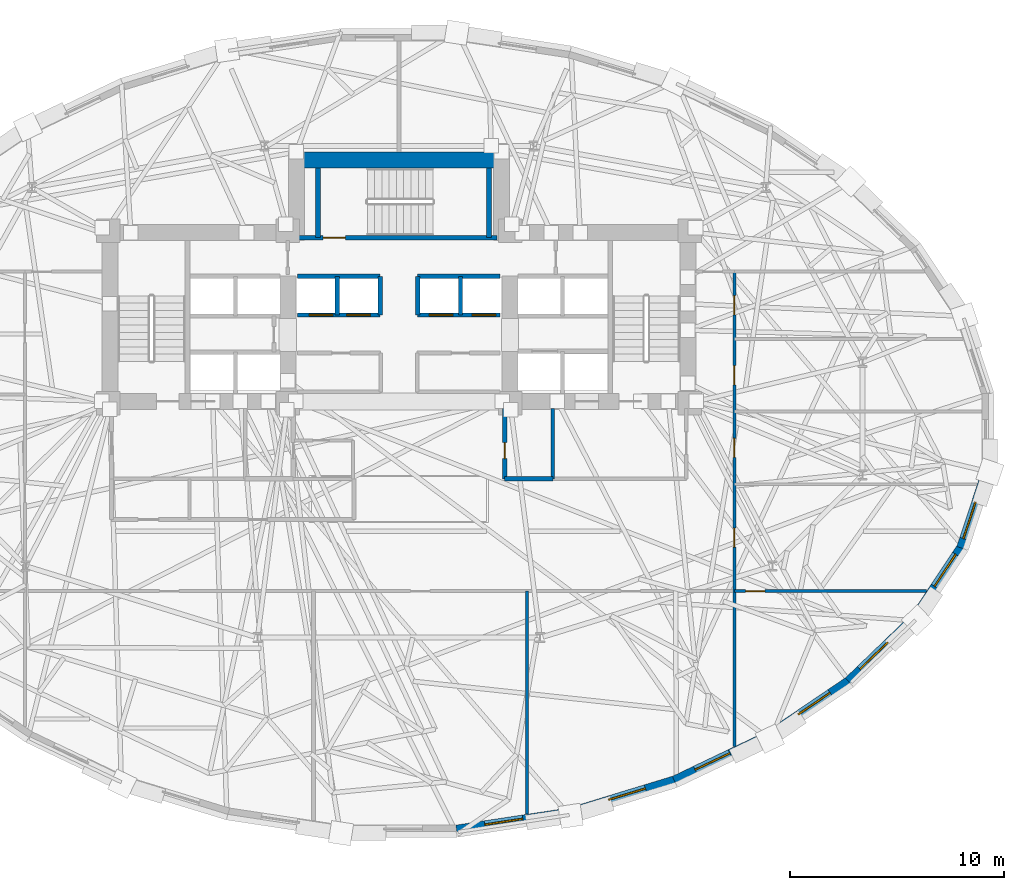
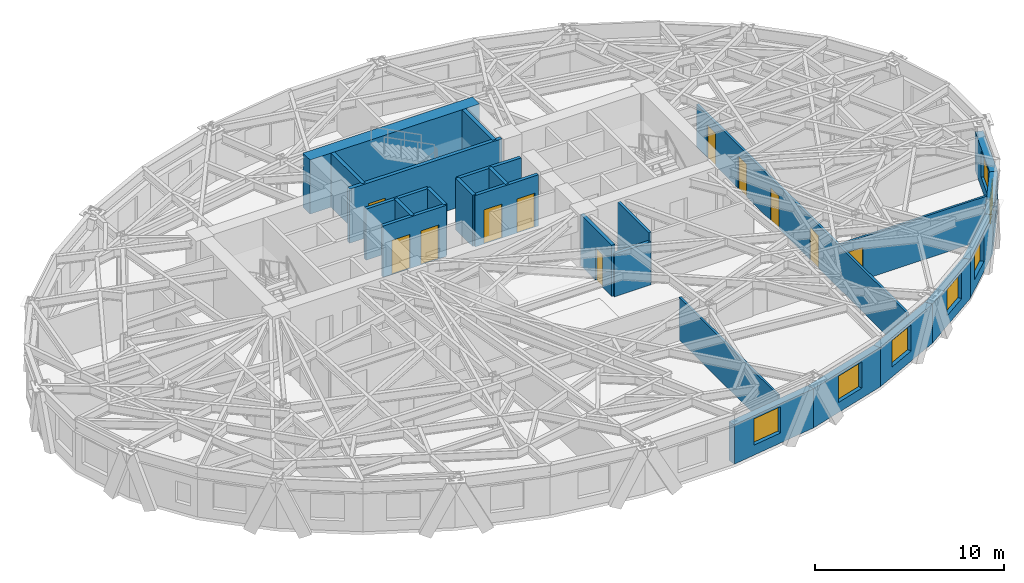
# One storey, part 8 of 14: 25 walls, 11 doors, 7 windows, 18 openings.
"""IFC4 building model written with IfcOpenShell, lengths in metres."""

from ifc_helpers import new_model, si_unit, direction, frame, frame_2d, origin, place, context, subcontext, project, spatial, rectangle, extrude, material, layer, layer_set, type_object, element, fill, save


model = new_model("IFC4")

# Units and contexts
model_context = context("Model", 3, precision=1e-05, world=origin(), true_north=direction((0.0, 1.0)))
body_context = subcontext(model_context, "Body", "Model", "MODEL_VIEW")
ifc_project = project(units=[si_unit("LENGTHUNIT", "METRE"), si_unit("AREAUNIT", "SQUARE_METRE"), si_unit("VOLUMEUNIT", "CUBIC_METRE"), si_unit("PLANEANGLEUNIT", "RADIAN"), si_unit("MASSUNIT", "GRAM", prefix="KILO")], contexts=[model_context])

# Site, building, storey
site_placement = place(None, origin())
site = spatial("IfcSite", under=ifc_project, at=site_placement, CompositionType="ELEMENT")
building_placement = place(site_placement, origin())
building = spatial("IfcBuilding", under=site, at=building_placement, Name="Keldmark Tower", CompositionType="ELEMENT")
storey_placement = place(building_placement, frame((0.0, 0.0, 100.10009765625)))
storey = spatial("IfcBuildingStorey", under=building, at=storey_placement, Name="L26", CompositionType="ELEMENT", Elevation=100.10009765625)

# Wall, openings, doors
ifc_material_1 = material(Name="Acoustic Double-Layer Gypsum Corridor Partition", Category="gypsum")
ifc_layer_1 = layer(ifc_material_1, 0.139892578125)
ifc_layer_set_1 = layer_set([ifc_layer_1], Name="Acoustic Double-Layer Gypsum Corridor Partition")
wall_type_1 = type_object("IfcWallType", Name="Acoustic Corridor Partition 140 mm", PredefinedType="PARTITIONING", material=ifc_layer_set_1)
wall_1_placement = place(storey_placement, frame((15.699951171875, -14.6748046875, 0.0), z_axis=(0.0, 0.0, 1.0), x_axis=(0.0, 1.0, 0.0)))
wall_1 = element("IfcWall", 1, at=wall_1_placement, inside=storey, type_object=wall_type_1, Name="L26 Acoustic Corridor Partition 140 mm COR-E", PredefinedType="PARTITIONING", context=body_context, shape_type="SweptSolid", body=[
    extrude(rectangle(XDim=22.224853515625, YDim=0.139892578125, at=frame_2d((11.1123046875, 0.0))), origin(), (0.0, 0.0, 1.0), 2.762939453125),
])
opening_1_placement = place(wall_1_placement, frame((9.325439453125, 0.0, 0.0)))
opening_1 = element("IfcOpeningElement", 2, at=opening_1_placement, cuts=wall_1, Name="Opening D-IN090", PredefinedType="OPENING", context=body_context, shape_type="SweptSolid", body=[
    extrude(rectangle(XDim=0.89990234375, YDim=2.10009765625, at=frame_2d((0.449951171875, 1.050048828125))), frame((0.0, 0.079833984375, 0.0), z_axis=(0.0, -1.0, 0.0), x_axis=(1.0, 0.0, 0.0)), (0.0, 0.0, 1.0), 0.159912109375),
])
opening_2_placement = place(wall_1_placement, frame((13.525390625, 0.0, 0.0)))
opening_2 = element("IfcOpeningElement", 3, at=opening_2_placement, cuts=wall_1, Name="Opening D-IN090", PredefinedType="OPENING", context=body_context, shape_type="SweptSolid", body=[
    extrude(rectangle(XDim=0.89990234375, YDim=2.10009765625, at=frame_2d((0.449951171875, 1.050048828125))), frame((0.0, 0.079833984375, 0.0), z_axis=(0.0, -1.0, 0.0), x_axis=(1.0, 0.0, 0.0)), (0.0, 0.0, 1.0), 0.159912109375),
])
opening_3_placement = place(wall_1_placement, frame((16.92529296875, 0.0, 0.0)))
opening_3 = element("IfcOpeningElement", 4, at=opening_3_placement, cuts=wall_1, Name="Opening D-IN090", PredefinedType="OPENING", context=body_context, shape_type="SweptSolid", body=[
    extrude(rectangle(XDim=0.89990234375, YDim=2.10009765625, at=frame_2d((0.449951171875, 1.050048828125))), frame((0.0, 0.079833984375, 0.0), z_axis=(0.0, -1.0, 0.0), x_axis=(1.0, 0.0, 0.0)), (0.0, 0.0, 1.0), 0.159912109375),
])
opening_4_placement = place(wall_1_placement, frame((20.200439453125, 0.0, 0.0)))
opening_4 = element("IfcOpeningElement", 5, at=opening_4_placement, cuts=wall_1, Name="Opening D-IN090", PredefinedType="OPENING", context=body_context, shape_type="SweptSolid", body=[
    extrude(rectangle(XDim=0.89990234375, YDim=2.10009765625, at=frame_2d((0.449951171875, 1.050048828125))), frame((0.0, 0.079833984375, 0.0), z_axis=(0.0, -1.0, 0.0), x_axis=(1.0, 0.0, 0.0)), (0.0, 0.0, 1.0), 0.159912109375),
])
ifc_material_2 = material(Name="Stained American White Oak Veneer", Category="wood")
door_type_1 = type_object("IfcDoorType", Name="Interior Door 900x2100", OperationType="NOTDEFINED", PredefinedType="DOOR", material=ifc_material_2)
door_1_placement = place(opening_1_placement, origin())
door_1 = element("IfcDoor", 6, at=door_1_placement, inside=storey, type_object=door_type_1, Name="L26 Interior Door 900x2100 D-ER-1-L26", OperationType="SINGLE_SWING_RIGHT", OverallHeight=2.10009765625, OverallWidth=0.89990234375, PredefinedType="DOOR", context=body_context, shape_type="SweptSolid", body=[
    extrude(rectangle(XDim=0.89990234375, YDim=2.10009765625, at=frame_2d((0.449951171875, 1.050048828125))), frame((0.0, 0.02490234375, 0.0), z_axis=(0.0, -1.0, 0.0), x_axis=(1.0, 0.0, 0.0)), (0.0, 0.0, 1.0), 0.050048828125),
])
fill(opening_1, door_1)
door_2_placement = place(opening_2_placement, origin())
door_2 = element("IfcDoor", 7, at=door_2_placement, inside=storey, type_object=door_type_1, Name="L26 Interior Door 900x2100 D-ER-2-L26", OperationType="SINGLE_SWING_LEFT", OverallHeight=2.10009765625, OverallWidth=0.89990234375, PredefinedType="DOOR", context=body_context, shape_type="SweptSolid", body=[
    extrude(rectangle(XDim=0.89990234375, YDim=2.10009765625, at=frame_2d((0.449951171875, 1.050048828125))), frame((0.0, 0.02490234375, 0.0), z_axis=(0.0, -1.0, 0.0), x_axis=(1.0, 0.0, 0.0)), (0.0, 0.0, 1.0), 0.050048828125),
])
fill(opening_2, door_2)
door_3_placement = place(opening_3_placement, origin())
door_3 = element("IfcDoor", 8, at=door_3_placement, inside=storey, type_object=door_type_1, Name="L26 Interior Door 900x2100 D-ER-3-L26", OperationType="SINGLE_SWING_RIGHT", OverallHeight=2.10009765625, OverallWidth=0.89990234375, PredefinedType="DOOR", context=body_context, shape_type="SweptSolid", body=[
    extrude(rectangle(XDim=0.89990234375, YDim=2.10009765625, at=frame_2d((0.449951171875, 1.050048828125))), frame((0.0, 0.02490234375, 0.0), z_axis=(0.0, -1.0, 0.0), x_axis=(1.0, 0.0, 0.0)), (0.0, 0.0, 1.0), 0.050048828125),
])
fill(opening_3, door_3)
door_4_placement = place(opening_4_placement, origin())
door_4 = element("IfcDoor", 9, at=door_4_placement, inside=storey, type_object=door_type_1, Name="L26 Interior Door 900x2100 D-ER-4-L26", OperationType="SINGLE_SWING_LEFT", OverallHeight=2.10009765625, OverallWidth=0.89990234375, PredefinedType="DOOR", context=body_context, shape_type="SweptSolid", body=[
    extrude(rectangle(XDim=0.89990234375, YDim=2.10009765625, at=frame_2d((0.449951171875, 1.050048828125))), frame((0.0, 0.02490234375, 0.0), z_axis=(0.0, -1.0, 0.0), x_axis=(1.0, 0.0, 0.0)), (0.0, 0.0, 1.0), 0.050048828125),
])
fill(opening_4, door_4)

# Wall
ifc_material_3 = material(Name="Acoustic Gypsum Board Interior Partition", Category="gypsum")
ifc_layer_2 = layer(ifc_material_3, 0.1298828125)
ifc_layer_set_2 = layer_set([ifc_layer_2], Name="Acoustic Gypsum Board Interior Partition")
wall_type_2 = type_object("IfcWallType", Name="Interior Partition 130 mm", PredefinedType="PARTITIONING", material=ifc_layer_set_2)
wall_2_placement = place(storey_placement, frame((6.0, -17.837646484375, 0.0), z_axis=(0.0, 0.0, 1.0), x_axis=(0.0, 1.0, 0.0)))
element("IfcWall", 10, at=wall_2_placement, inside=storey, type_object=wall_type_2, Name="L26 Interior Partition 130 mm S-DIV-2", PredefinedType="PARTITIONING", context=body_context, shape_type="SweptSolid", body=[
    extrude(rectangle(XDim=10.437744140625, YDim=0.1298828125, at=frame_2d((5.21875, 0.0))), origin(), (0.0, 0.0, 1.0), 2.762939453125),
])

# Wall, opening, door
wall_3_placement = place(storey_placement, frame((15.699951171875, -7.39990234375, 0.0), z_axis=(0.0, 0.0, 1.0), x_axis=(1.0, 0.0, 0.0)))
wall_3 = element("IfcWall", 11, at=wall_3_placement, inside=storey, type_object=wall_type_2, Name="L26 Interior Partition 130 mm E-CAP-S", PredefinedType="PARTITIONING", context=body_context, shape_type="SweptSolid", body=[
    extrude(rectangle(XDim=8.98876953125, YDim=0.1298828125, at=frame_2d((4.494384765625, 0.0))), origin(), (0.0, 0.0, 1.0), 2.762939453125),
])
opening_5_placement = place(wall_3_placement, frame((0.530029296875, 0.0, 0.0)))
opening_5 = element("IfcOpeningElement", 12, at=opening_5_placement, cuts=wall_3, Name="Opening D-IN090", PredefinedType="OPENING", context=body_context, shape_type="SweptSolid", body=[
    extrude(rectangle(XDim=0.89990234375, YDim=2.10009765625, at=frame_2d((0.449951171875, 1.050048828125))), frame((0.0, 0.074951171875, 0.0), z_axis=(0.0, -1.0, 0.0), x_axis=(1.0, 0.0, 0.0)), (0.0, 0.0, 1.0), 0.14990234375),
])
door_5_placement = place(opening_5_placement, origin())
door_5 = element("IfcDoor", 13, at=door_5_placement, inside=storey, type_object=door_type_1, Name="L26 Interior Door 900x2100 D-ERSE-L26", OperationType="SINGLE_SWING_LEFT", OverallHeight=2.10009765625, OverallWidth=0.89990234375, PredefinedType="DOOR", context=body_context, shape_type="SweptSolid", body=[
    extrude(rectangle(XDim=0.89990234375, YDim=2.10009765625, at=frame_2d((0.449951171875, 1.050048828125))), frame((0.0, 0.02490234375, 0.0), z_axis=(0.0, -1.0, 0.0), x_axis=(1.0, 0.0, 0.0)), (0.0, 0.0, 1.0), 0.050048828125),
])
fill(opening_5, door_5)

# Walls
ifc_material_4 = material(Name="Concrete C70/85", Category="concrete")
ifc_layer_3 = layer(ifc_material_4, 0.75)
ifc_layer_set_3 = layer_set([ifc_layer_3], Name="Concrete C70/85")
wall_type_3 = type_object("IfcWallType", Name="Low-Mid Core Shear Wall 750 mm", PredefinedType="SHEAR", material=ifc_layer_set_3)
wall_4_placement = place(storey_placement, frame((-5.175048828125, 12.77490234375, 0.0), z_axis=(0.0, 0.0, 1.0), x_axis=(1.0, 0.0, 0.0)))
element("IfcWall", 14, at=wall_4_placement, inside=storey, type_object=wall_type_3, Name="L26 North Core Shear Wall", PredefinedType="SHEAR", context=body_context, shape_type="SweptSolid", body=[
    extrude(rectangle(XDim=10.35009765625, YDim=0.75, at=frame_2d((5.175048828125, 0.0))), origin(), (0.0, 0.0, 1.0), 3.5),
])
ifc_material_5 = material(Name="Type X Fire-Rated Gypsum Partition Assembly", Category="gypsum")
ifc_layer_4 = layer(ifc_material_5, 0.1650390625)
ifc_layer_set_4 = layer_set([ifc_layer_4], Name="Type X Fire-Rated Gypsum Partition Assembly")
wall_type_4 = type_object("IfcWallType", Name="Rated Partition 165 mm", PredefinedType="PARTITIONING", material=ifc_layer_set_4)
wall_5_placement = place(storey_placement, frame((7.199951171875, -2.14990234375, 0.0), z_axis=(0.0, 0.0, 1.0), x_axis=(0.0, 1.0, 0.0)))
element("IfcWall", 15, at=wall_5_placement, inside=storey, type_object=wall_type_4, Name="L26 Rated Partition 165 mm FSAE-E-W", PredefinedType="PARTITIONING", context=body_context, shape_type="SweptSolid", body=[
    extrude(rectangle(XDim=3.2998046875, YDim=0.1650390625, at=frame_2d((1.64990234375, 0.0))), origin(), (0.0, 0.0, 1.0), 3.309814453125),
])
ifc_material_6 = material(Name="Fire-Resistant Type X Gypsum Shaftliner Coreboard", Category="gypsum")
ifc_layer_5 = layer(ifc_material_6, 0.199951171875)
ifc_layer_set_5 = layer_set([ifc_layer_5], Name="Fire-Resistant Type X Gypsum Shaftliner Coreboard")
wall_type_5 = type_object("IfcWallType", Name="Shaft Wall 200 mm", PredefinedType="SOLIDWALL", material=ifc_layer_set_5)
wall_6_placement = place(storey_placement, frame((4.949951171875, -2.14990234375, 0.0), z_axis=(0.0, 0.0, 1.0), x_axis=(1.0, 0.0, 0.0)))
element("IfcWall", 16, at=wall_6_placement, inside=storey, type_object=wall_type_5, Name="L26 Shaft Wall 200 mm RIS-SE-S", PredefinedType="SOLIDWALL", context=body_context, shape_type="SweptSolid", body=[
    extrude(rectangle(XDim=2.25, YDim=0.199951171875, at=frame_2d((1.125, 0.0))), origin(), (0.0, 0.0, 1.0), 2.762939453125),
])

# Wall, opening, door
wall_7_placement = place(storey_placement, frame((4.949951171875, -2.14990234375, 0.0), z_axis=(0.0, 0.0, 1.0), x_axis=(0.0, 1.0, 0.0)))
wall_7 = element("IfcWall", 17, at=wall_7_placement, inside=storey, type_object=wall_type_5, Name="L26 Shaft Wall 200 mm RIS-SE-W", PredefinedType="SOLIDWALL", context=body_context, shape_type="SweptSolid", body=[
    extrude(rectangle(XDim=3.2998046875, YDim=0.199951171875, at=frame_2d((1.64990234375, 0.0))), origin(), (0.0, 0.0, 1.0), 3.309814453125),
])
opening_6_placement = place(wall_7_placement, frame((0.949951171875, 0.0, 0.0)))
opening_6 = element("IfcOpeningElement", 18, at=opening_6_placement, cuts=wall_7, Name="Opening D-RS075", PredefinedType="OPENING", context=body_context, shape_type="SweptSolid", body=[
    extrude(rectangle(XDim=0.75, YDim=2.10009765625, at=frame_2d((0.375, 1.050048828125))), frame((0.0, 0.10986328125, 0.0), z_axis=(0.0, -1.0, 0.0), x_axis=(1.0, 0.0, 0.0)), (0.0, 0.0, 1.0), 0.219970703125),
])
ifc_material_7 = material(Name="Galvanized Fire-Rated Access Leaf", Category="metal")
door_type_2 = type_object("IfcDoorType", Name="Riser Access Door 750x2100", OperationType="NOTDEFINED", PredefinedType="DOOR", material=ifc_material_7)
door_6_placement = place(opening_6_placement, origin())
door_6 = element("IfcDoor", 19, at=door_6_placement, inside=storey, type_object=door_type_2, Name="L26 Riser Access Door 750x2100 D-RISSE-L26", OperationType="SINGLE_SWING_LEFT", OverallHeight=2.10009765625, OverallWidth=0.75, PredefinedType="DOOR", context=body_context, shape_type="SweptSolid", body=[
    extrude(rectangle(XDim=0.75, YDim=2.10009765625, at=frame_2d((0.375, 1.050048828125))), frame((0.0, 0.02490234375, 0.0), z_axis=(0.0, -1.0, 0.0), x_axis=(1.0, 0.0, 0.0)), (0.0, 0.0, 1.0), 0.050048828125),
])
fill(opening_6, door_6)

# Wall, openings, doors
wall_8_placement = place(storey_placement, frame((-4.739990234375, 5.52001953125, 0.0), z_axis=(0.0, 0.0, 1.0), x_axis=(1.0, 0.0, 0.0)))
wall_8 = element("IfcWall", 20, at=wall_8_placement, inside=storey, type_object=wall_type_5, Name="L26 Shaft Wall 200 mm MID-S-W", PredefinedType="SOLIDWALL", context=body_context, shape_type="SweptSolid", body=[
    extrude(rectangle(XDim=3.860107421875, YDim=0.199951171875, at=frame_2d((1.93017578125, 0.0))), origin(), (0.0, 0.0, 1.0), 3.309814453125),
])
opening_7_placement = place(wall_8_placement, frame((0.550048828125, 0.0, 0.0)))
opening_7 = element("IfcOpeningElement", 21, at=opening_7_placement, cuts=wall_8, Name="Opening LD-110", PredefinedType="OPENING", context=body_context, shape_type="SweptSolid", body=[
    extrude(rectangle(XDim=1.10009765625, YDim=2.199951171875, at=frame_2d((0.550048828125, 1.10009765625))), frame((0.0, 0.10986328125, 0.0), z_axis=(0.0, -1.0, 0.0), x_axis=(1.0, 0.0, 0.0)), (0.0, 0.0, 1.0), 0.219970703125),
])
opening_8_placement = place(wall_8_placement, frame((2.300048828125, 0.0, 0.0)))
opening_8 = element("IfcOpeningElement", 22, at=opening_8_placement, cuts=wall_8, Name="Opening LD-110", PredefinedType="OPENING", context=body_context, shape_type="SweptSolid", body=[
    extrude(rectangle(XDim=1.10009765625, YDim=2.199951171875, at=frame_2d((0.550048828125, 1.10009765625))), frame((0.0, 0.10986328125, 0.0), z_axis=(0.0, -1.0, 0.0), x_axis=(1.0, 0.0, 0.0)), (0.0, 0.0, 1.0), 0.219970703125),
])
ifc_material_8 = material(Name="Brushed Bronze Hoistway Sliding Leaf", Category="metal")
door_type_3 = type_object("IfcDoorType", Name="Lift Landing Sliding Door 1100x2200", OperationType="SLIDING_TO_LEFT", PredefinedType="DOOR", material=ifc_material_8)
door_7_placement = place(opening_7_placement, origin())
door_7 = element("IfcDoor", 23, at=door_7_placement, inside=storey, type_object=door_type_3, Name="L26 Lift Landing Sliding Door 1100x2200 LD-EL-M1-L26", OperationType="SLIDING_TO_LEFT", OverallHeight=2.199951171875, OverallWidth=1.10009765625, PredefinedType="DOOR", context=body_context, shape_type="SweptSolid", body=[
    extrude(rectangle(XDim=1.10009765625, YDim=2.199951171875, at=frame_2d((0.550048828125, 1.10009765625))), frame((0.0, 0.02490234375, 0.0), z_axis=(0.0, -1.0, 0.0), x_axis=(1.0, 0.0, 0.0)), (0.0, 0.0, 1.0), 0.050048828125),
])
fill(opening_7, door_7)
door_8_placement = place(opening_8_placement, origin())
door_8 = element("IfcDoor", 24, at=door_8_placement, inside=storey, type_object=door_type_3, Name="L26 Lift Landing Sliding Door 1100x2200 LD-EL-M2-L26", OperationType="SLIDING_TO_LEFT", OverallHeight=2.199951171875, OverallWidth=1.10009765625, PredefinedType="DOOR", context=body_context, shape_type="SweptSolid", body=[
    extrude(rectangle(XDim=1.10009765625, YDim=2.199951171875, at=frame_2d((0.550048828125, 1.10009765625))), frame((0.0, 0.02490234375, 0.0), z_axis=(0.0, -1.0, 0.0), x_axis=(1.0, 0.0, 0.0)), (0.0, 0.0, 1.0), 0.050048828125),
])
fill(opening_8, door_8)

wall_9_placement = place(storey_placement, frame((0.8798828125, 5.52001953125, 0.0), z_axis=(0.0, 0.0, 1.0), x_axis=(1.0, 0.0, 0.0)))
wall_9 = element("IfcWall", 25, at=wall_9_placement, inside=storey, type_object=wall_type_5, Name="L26 Shaft Wall 200 mm MID-S-E", PredefinedType="SOLIDWALL", context=body_context, shape_type="SweptSolid", body=[
    extrude(rectangle(XDim=3.860107421875, YDim=0.199951171875, at=frame_2d((1.93017578125, 0.0))), origin(), (0.0, 0.0, 1.0), 3.309814453125),
])
opening_9_placement = place(wall_9_placement, frame((0.550048828125, 0.0, 0.0)))
opening_9 = element("IfcOpeningElement", 26, at=opening_9_placement, cuts=wall_9, Name="Opening LD-110", PredefinedType="OPENING", context=body_context, shape_type="SweptSolid", body=[
    extrude(rectangle(XDim=1.10009765625, YDim=2.199951171875, at=frame_2d((0.550048828125, 1.10009765625))), frame((0.0, 0.10986328125, 0.0), z_axis=(0.0, -1.0, 0.0), x_axis=(1.0, 0.0, 0.0)), (0.0, 0.0, 1.0), 0.219970703125),
])
opening_10_placement = place(wall_9_placement, frame((2.550048828125, 0.0, 0.0)))
opening_10 = element("IfcOpeningElement", 27, at=opening_10_placement, cuts=wall_9, Name="Opening LD-110", PredefinedType="OPENING", context=body_context, shape_type="SweptSolid", body=[
    extrude(rectangle(XDim=1.10009765625, YDim=2.199951171875, at=frame_2d((0.550048828125, 1.10009765625))), frame((0.0, 0.10986328125, 0.0), z_axis=(0.0, -1.0, 0.0), x_axis=(1.0, 0.0, 0.0)), (0.0, 0.0, 1.0), 0.219970703125),
])
door_9_placement = place(opening_9_placement, origin())
door_9 = element("IfcDoor", 28, at=door_9_placement, inside=storey, type_object=door_type_3, Name="L26 Lift Landing Sliding Door 1100x2200 LD-EL-M3-L26", OperationType="SLIDING_TO_LEFT", OverallHeight=2.199951171875, OverallWidth=1.10009765625, PredefinedType="DOOR", context=body_context, shape_type="SweptSolid", body=[
    extrude(rectangle(XDim=1.10009765625, YDim=2.199951171875, at=frame_2d((0.550048828125, 1.10009765625))), frame((0.0, 0.02490234375, 0.0), z_axis=(0.0, -1.0, 0.0), x_axis=(1.0, 0.0, 0.0)), (0.0, 0.0, 1.0), 0.050048828125),
])
fill(opening_9, door_9)
door_10_placement = place(opening_10_placement, origin())
door_10 = element("IfcDoor", 29, at=door_10_placement, inside=storey, type_object=door_type_3, Name="L26 Lift Landing Sliding Door 1100x2200 LD-EL-M4-L26", OperationType="SLIDING_TO_LEFT", OverallHeight=2.199951171875, OverallWidth=1.10009765625, PredefinedType="DOOR", context=body_context, shape_type="SweptSolid", body=[
    extrude(rectangle(XDim=1.10009765625, YDim=2.199951171875, at=frame_2d((0.550048828125, 1.10009765625))), frame((0.0, 0.02490234375, 0.0), z_axis=(0.0, -1.0, 0.0), x_axis=(1.0, 0.0, 0.0)), (0.0, 0.0, 1.0), 0.050048828125),
])
fill(opening_10, door_10)

# Walls
for number, where, z_axis, x_axis, name in (
    (30, (-4.739990234375, 7.330078125, 0.0), (0.0, 0.0, 1.0), (1.0, 0.0, 0.0), "L26 Shaft Wall 200 mm MID-N-W"),
    (31, (0.8798828125, 7.330078125, 0.0), (0.0, 0.0, 1.0), (1.0, 0.0, 0.0), "L26 Shaft Wall 200 mm MID-N-E"),
):
    element("IfcWall", number, at=place(storey_placement, frame(where, z_axis=z_axis, x_axis=x_axis)), inside=storey, type_object=wall_type_5, Name=name, PredefinedType="SOLIDWALL", context=body_context, shape_type="SweptSolid", body=[
        extrude(rectangle(XDim=3.860107421875, YDim=0.199951171875, at=frame_2d((1.93017578125, 0.0))), origin(), (0.0, 0.0, 1.0), 3.309814453125),
    ])
for number, where, z_axis, x_axis, name in (
    (32, (-2.8798828125, 5.52001953125, 0.0), (0.0, 0.0, 1.0), (0.0, 1.0, 0.0), "L26 Shaft Wall 200 mm MID-M-W"),
    (33, (2.8798828125, 5.52001953125, 0.0), (0.0, 0.0, 1.0), (0.0, 1.0, 0.0), "L26 Shaft Wall 200 mm MID-M-E"),
    (34, (-0.8798828125, 5.52001953125, 0.0), (0.0, 0.0, 1.0), (0.0, 1.0, 0.0), "L26 Shaft Wall 200 mm MID-C-W"),
    (35, (0.8798828125, 5.52001953125, 0.0), (0.0, 0.0, 1.0), (0.0, 1.0, 0.0), "L26 Shaft Wall 200 mm MID-C-E"),
):
    element("IfcWall", number, at=place(storey_placement, frame(where, z_axis=z_axis, x_axis=x_axis)), inside=storey, type_object=wall_type_5, Name=name, PredefinedType="SOLIDWALL", context=body_context, shape_type="SweptSolid", body=[
        extrude(rectangle(XDim=1.81005859375, YDim=0.199951171875, at=frame_2d((0.905029296875, 0.0))), origin(), (0.0, 0.0, 1.0), 3.309814453125),
    ])

# Wall, opening, door
ifc_material_9 = material(Name="Concrete C50/60", Category="concrete")
ifc_layer_6 = layer(ifc_material_9, 0.219970703125)
ifc_layer_set_6 = layer_set([ifc_layer_6], Name="Concrete C50/60")
wall_type_6 = type_object("IfcWallType", Name="Stair Core Shear Wall 220 mm", PredefinedType="SHEAR", material=ifc_layer_set_6)
wall_10_placement = place(storey_placement, frame((-4.699951171875, 9.139892578125, 0.0), z_axis=(0.0, 0.0, 1.0), x_axis=(1.0, 0.0, 0.0)))
wall_10 = element("IfcWall", 36, at=wall_10_placement, inside=storey, type_object=wall_type_6, Name="L26 Central Stair Core South Shear Wall", PredefinedType="SHEAR", context=body_context, shape_type="SweptSolid", body=[
    extrude(rectangle(XDim=9.300048828125, YDim=0.219970703125, at=frame_2d((4.64990234375, 0.0))), origin(), (0.0, 0.0, 1.0), 3.5),
])
opening_11_placement = place(wall_10_placement, frame((1.14990234375, 0.0, 0.0)))
opening_11 = element("IfcOpeningElement", 37, at=opening_11_placement, cuts=wall_10, Name="Opening D-ST105", PredefinedType="OPENING", context=body_context, shape_type="SweptSolid", body=[
    extrude(rectangle(XDim=1.050048828125, YDim=2.14990234375, at=frame_2d((0.52490234375, 1.074951171875))), frame((0.0, 0.119873046875, 0.0), z_axis=(0.0, -1.0, 0.0), x_axis=(1.0, 0.0, 0.0)), (0.0, 0.0, 1.0), 0.239990234375),
])
ifc_material_10 = material(Name="Hollow Metal Fire-Rated Door Assembly", Category="metal")
door_type_4 = type_object("IfcDoorType", Name="Stair Fire Door 1050x2150", OperationType="NOTDEFINED", PredefinedType="DOOR", material=ifc_material_10)
door_11_placement = place(opening_11_placement, origin())
door_11 = element("IfcDoor", 38, at=door_11_placement, inside=storey, type_object=door_type_4, Name="L26 Stair Fire Door 1050x2150 D-ST3-L26", OperationType="SINGLE_SWING_RIGHT", OverallHeight=2.14990234375, OverallWidth=1.050048828125, PredefinedType="DOOR", context=body_context, shape_type="SweptSolid", body=[
    extrude(rectangle(XDim=1.050048828125, YDim=2.14990234375, at=frame_2d((0.52490234375, 1.074951171875))), frame((0.0, 0.02490234375, 0.0), z_axis=(0.0, -1.0, 0.0), x_axis=(1.0, 0.0, 0.0)), (0.0, 0.0, 1.0), 0.050048828125),
])
fill(opening_11, door_11)

# Walls
for number, where, z_axis, x_axis, name in (
    (39, (-3.784912109375, 9.139892578125, 0.0), (0.0, 0.0, 1.0), (0.0, 1.0, 0.0), "L26 Central Stair Core West Shear Wall"),
    (40, (4.215087890625, 9.139892578125, 0.0), (0.0, 0.0, 1.0), (0.0, 1.0, 0.0), "L26 Central Stair Core East Shear Wall"),
):
    element("IfcWall", number, at=place(storey_placement, frame(where, z_axis=z_axis, x_axis=x_axis)), inside=storey, type_object=wall_type_6, Name=name, PredefinedType="SHEAR", context=body_context, shape_type="SweptSolid", body=[
        extrude(rectangle(XDim=3.260009765625, YDim=0.219970703125, at=frame_2d((1.6298828125, 0.0))), origin(), (0.0, 0.0, 1.0), 3.5),
    ])

# Wall, opening, window
ifc_material_11 = material(Name="Ironspot Manganese Brick and Kasota Buff Limestone Spandrel Assembly", Category="masonry")
ifc_layer_7 = layer(ifc_material_11, 0.43994140625)
ifc_layer_set_7 = layer_set([ifc_layer_7], Name="Ironspot Manganese Brick and Kasota Buff Limestone Spandrel Assembly")
wall_type_7 = type_object("IfcWallType", Name="Tower Brick Pier and Spandrel Wall 440 mm", PredefinedType="STANDARD", material=ifc_layer_set_7)
wall_11_placement = place(storey_placement, frame((8.012451171875, -17.76220703125, 0.0), z_axis=(0.0, 0.0, 1.0), x_axis=(-0.988627497469, -0.150385076545, 0.0)))
wall_11 = element("IfcWall", 41, at=wall_11_placement, inside=storey, type_object=wall_type_7, Name="L26 Exterior Brick and Spandrel Wall 25", PredefinedType="STANDARD", context=body_context, shape_type="SweptSolid", body=[
    extrude(rectangle(XDim=5.376708984375, YDim=0.43994140625, at=frame_2d((2.6884765625, 0.0))), origin(), (0.0, 0.0, 1.0), 2.52783203125),
])
opening_12_placement = place(wall_11_placement, frame((2.2353515625, 0.0, 0.64990234375)))
opening_12 = element("IfcOpeningElement", 42, at=opening_12_placement, cuts=wall_11, Name="Opening W-02", PredefinedType="OPENING", context=body_context, shape_type="SweptSolid", body=[
    extrude(rectangle(XDim=1.800048828125, YDim=1.699951171875, at=frame_2d((0.89990234375, 0.85009765625))), frame((0.0, 0.22998046875, 0.0), z_axis=(0.0, -1.0, 0.0), x_axis=(1.0, 0.0, 0.0)), (0.0, 0.0, 1.0), 0.4599609375),
])
ifc_material_12 = material(Name="Thermally Broken Anodized Aluminum and Triple Low-E Argon Glazing", Category="aluminium")
window_type = type_object("IfcWindowType", Name="Office Deep-Set Triple Window 1800x1700", PartitioningType="TRIPLE_PANEL_VERTICAL", PredefinedType="WINDOW", material=ifc_material_12)
window_1_placement = place(opening_12_placement, origin())
window_1 = element("IfcWindow", 43, at=window_1_placement, inside=storey, type_object=window_type, Name="L26 Deep-Set Window 25", OverallHeight=1.699951171875, OverallWidth=1.800048828125, PartitioningType="SINGLE_PANEL", PredefinedType="WINDOW", context=body_context, shape_type="SweptSolid", body=[
    extrude(rectangle(XDim=1.800048828125, YDim=1.699951171875, at=frame_2d((0.89990234375, 0.85009765625))), frame((0.0, -0.010009765625, 0.0), z_axis=(0.0, -1.0, 0.0), x_axis=(1.0, 0.0, 0.0)), (0.0, 0.0, 1.0), 0.06005859375),
])
fill(opening_12, window_1)

wall_12_placement = place(storey_placement, frame((12.92041015625, -16.2578125, 0.0), z_axis=(0.0, 0.0, 1.0), x_axis=(-0.956228569431, -0.292620783617, 0.0)))
wall_12 = element("IfcWall", 44, at=wall_12_placement, inside=storey, type_object=wall_type_7, Name="L26 Exterior Brick and Spandrel Wall 26", PredefinedType="STANDARD", context=body_context, shape_type="SweptSolid", body=[
    extrude(rectangle(XDim=5.165283203125, YDim=0.43994140625, at=frame_2d((2.58251953125, 0.0))), origin(), (0.0, 0.0, 1.0), 2.52783203125),
])
opening_13_placement = place(wall_12_placement, frame((1.435546875, 0.0, 0.64990234375)))
opening_13 = element("IfcOpeningElement", 45, at=opening_13_placement, cuts=wall_12, Name="Opening W-02", PredefinedType="OPENING", context=body_context, shape_type="SweptSolid", body=[
    extrude(rectangle(XDim=1.800048828125, YDim=1.699951171875, at=frame_2d((0.89990234375, 0.85009765625))), frame((0.0, 0.22998046875, 0.0), z_axis=(0.0, -1.0, 0.0), x_axis=(1.0, 0.0, 0.0)), (0.0, 0.0, 1.0), 0.4599609375),
])
window_2_placement = place(opening_13_placement, origin())
window_2 = element("IfcWindow", 46, at=window_2_placement, inside=storey, type_object=window_type, Name="L26 Deep-Set Window 26", OverallHeight=1.699951171875, OverallWidth=1.800048828125, PartitioningType="SINGLE_PANEL", PredefinedType="WINDOW", context=body_context, shape_type="SweptSolid", body=[
    extrude(rectangle(XDim=1.800048828125, YDim=1.699951171875, at=frame_2d((0.89990234375, 0.85009765625))), frame((0.0, -0.010009765625, 0.0), z_axis=(0.0, -1.0, 0.0), x_axis=(1.0, 0.0, 0.0)), (0.0, 0.0, 1.0), 0.06005859375),
])
fill(opening_13, window_2)

wall_13_placement = place(storey_placement, frame((17.294921875, -14.165771484375, 0.0), z_axis=(0.0, 0.0, 1.0), x_axis=(-0.902372757907, -0.430956385018, 0.0)))
wall_13 = element("IfcWall", 47, at=wall_13_placement, inside=storey, type_object=wall_type_7, Name="L26 Exterior Brick and Spandrel Wall 27", PredefinedType="STANDARD", context=body_context, shape_type="SweptSolid", body=[
    extrude(rectangle(XDim=4.881591796875, YDim=0.43994140625, at=frame_2d((2.44091796875, 0.0))), origin(), (0.0, 0.0, 1.0), 2.52783203125),
])
opening_14_placement = place(wall_13_placement, frame((1.98779296875, 0.0, 0.64990234375)))
opening_14 = element("IfcOpeningElement", 48, at=opening_14_placement, cuts=wall_13, Name="Opening W-02", PredefinedType="OPENING", context=body_context, shape_type="SweptSolid", body=[
    extrude(rectangle(XDim=1.800048828125, YDim=1.699951171875, at=frame_2d((0.89990234375, 0.85009765625))), frame((0.0, 0.22998046875, 0.0), z_axis=(0.0, -1.0, 0.0), x_axis=(1.0, 0.0, 0.0)), (0.0, 0.0, 1.0), 0.4599609375),
])
window_3_placement = place(opening_14_placement, origin())
window_3 = element("IfcWindow", 49, at=window_3_placement, inside=storey, type_object=window_type, Name="L26 Deep-Set Window 27", OverallHeight=1.699951171875, OverallWidth=1.800048828125, PartitioningType="SINGLE_PANEL", PredefinedType="WINDOW", context=body_context, shape_type="SweptSolid", body=[
    extrude(rectangle(XDim=1.800048828125, YDim=1.699951171875, at=frame_2d((0.89990234375, 0.85009765625))), frame((0.0, -0.010009765625, 0.0), z_axis=(0.0, -1.0, 0.0), x_axis=(1.0, 0.0, 0.0)), (0.0, 0.0, 1.0), 0.06005859375),
])
fill(opening_14, window_3)

wall_14_placement = place(storey_placement, frame((21.066162109375, -11.6064453125, 0.0), z_axis=(0.0, 0.0, 1.0), x_axis=(-0.827754551165, -0.56109036975, 0.0)))
wall_14 = element("IfcWall", 50, at=wall_14_placement, inside=storey, type_object=wall_type_7, Name="L26 Exterior Brick and Spandrel Wall 28", PredefinedType="STANDARD", context=body_context, shape_type="SweptSolid", body=[
    extrude(rectangle(XDim=4.590576171875, YDim=0.43994140625, at=frame_2d((2.29541015625, 0.0))), origin(), (0.0, 0.0, 1.0), 2.52783203125),
])
opening_15_placement = place(wall_14_placement, frame((1.046630859375, 0.0, 0.64990234375)))
opening_15 = element("IfcOpeningElement", 51, at=opening_15_placement, cuts=wall_14, Name="Opening W-02", PredefinedType="OPENING", context=body_context, shape_type="SweptSolid", body=[
    extrude(rectangle(XDim=1.800048828125, YDim=1.699951171875, at=frame_2d((0.89990234375, 0.85009765625))), frame((0.0, 0.22998046875, 0.0), z_axis=(0.0, -1.0, 0.0), x_axis=(1.0, 0.0, 0.0)), (0.0, 0.0, 1.0), 0.4599609375),
])
window_4_placement = place(opening_15_placement, origin())
window_4 = element("IfcWindow", 52, at=window_4_placement, inside=storey, type_object=window_type, Name="L26 Deep-Set Window 28", OverallHeight=1.699951171875, OverallWidth=1.800048828125, PartitioningType="SINGLE_PANEL", PredefinedType="WINDOW", context=body_context, shape_type="SweptSolid", body=[
    extrude(rectangle(XDim=1.800048828125, YDim=1.699951171875, at=frame_2d((0.89990234375, 0.85009765625))), frame((0.0, -0.010009765625, 0.0), z_axis=(0.0, -1.0, 0.0), x_axis=(1.0, 0.0, 0.0)), (0.0, 0.0, 1.0), 0.06005859375),
])
fill(opening_15, window_4)

wall_15_placement = place(storey_placement, frame((24.140380859375, -8.643798828125, 0.0), z_axis=(0.0, 0.0, 1.0), x_axis=(-0.720581378362, -0.693370375166, 0.0)))
wall_15 = element("IfcWall", 53, at=wall_15_placement, inside=storey, type_object=wall_type_7, Name="L26 Exterior Brick and Spandrel Wall 29", PredefinedType="STANDARD", context=body_context, shape_type="SweptSolid", body=[
    extrude(rectangle(XDim=4.306640625, YDim=0.43994140625, at=frame_2d((2.1533203125, 0.0))), origin(), (0.0, 0.0, 1.0), 2.52783203125),
])
opening_16_placement = place(wall_15_placement, frame((1.71875, 0.0, 0.64990234375)))
opening_16 = element("IfcOpeningElement", 54, at=opening_16_placement, cuts=wall_15, Name="Opening W-02", PredefinedType="OPENING", context=body_context, shape_type="SweptSolid", body=[
    extrude(rectangle(XDim=1.800048828125, YDim=1.699951171875, at=frame_2d((0.89990234375, 0.85009765625))), frame((0.0, 0.22998046875, 0.0), z_axis=(0.0, -1.0, 0.0), x_axis=(1.0, 0.0, 0.0)), (0.0, 0.0, 1.0), 0.4599609375),
])
window_5_placement = place(opening_16_placement, origin())
window_5 = element("IfcWindow", 55, at=window_5_placement, inside=storey, type_object=window_type, Name="L26 Deep-Set Window 29", OverallHeight=1.699951171875, OverallWidth=1.800048828125, PartitioningType="SINGLE_PANEL", PredefinedType="WINDOW", context=body_context, shape_type="SweptSolid", body=[
    extrude(rectangle(XDim=1.800048828125, YDim=1.699951171875, at=frame_2d((0.89990234375, 0.85009765625))), frame((0.0, -0.010009765625, 0.0), z_axis=(0.0, -1.0, 0.0), x_axis=(1.0, 0.0, 0.0)), (0.0, 0.0, 1.0), 0.06005859375),
])
fill(opening_16, window_5)

wall_16_placement = place(storey_placement, frame((26.339599609375, -5.332275390625, 0.0), z_axis=(0.0, 0.0, 1.0), x_axis=(-0.554293965046, -0.83232097193, 0.0)))
wall_16 = element("IfcWall", 56, at=wall_16_placement, inside=storey, type_object=wall_type_7, Name="L26 Exterior Brick and Spandrel Wall 30", PredefinedType="STANDARD", context=body_context, shape_type="SweptSolid", body=[
    extrude(rectangle(XDim=4.022705078125, YDim=0.43994140625, at=frame_2d((2.01123046875, 0.0))), origin(), (0.0, 0.0, 1.0), 2.52783203125),
])
opening_17_placement = place(wall_16_placement, frame((0.4462890625, 0.0, 0.64990234375)))
opening_17 = element("IfcOpeningElement", 57, at=opening_17_placement, cuts=wall_16, Name="Opening W-02", PredefinedType="OPENING", context=body_context, shape_type="SweptSolid", body=[
    extrude(rectangle(XDim=1.800048828125, YDim=1.699951171875, at=frame_2d((0.89990234375, 0.85009765625))), frame((0.0, 0.22998046875, 0.0), z_axis=(0.0, -1.0, 0.0), x_axis=(1.0, 0.0, 0.0)), (0.0, 0.0, 1.0), 0.4599609375),
])
window_6_placement = place(opening_17_placement, origin())
window_6 = element("IfcWindow", 58, at=window_6_placement, inside=storey, type_object=window_type, Name="L26 Deep-Set Window 30", OverallHeight=1.699951171875, OverallWidth=1.800048828125, PartitioningType="SINGLE_PANEL", PredefinedType="WINDOW", context=body_context, shape_type="SweptSolid", body=[
    extrude(rectangle(XDim=1.800048828125, YDim=1.699951171875, at=frame_2d((0.89990234375, 0.85009765625))), frame((0.0, -0.010009765625, 0.0), z_axis=(0.0, -1.0, 0.0), x_axis=(1.0, 0.0, 0.0)), (0.0, 0.0, 1.0), 0.06005859375),
])
fill(opening_17, window_6)

wall_17_placement = place(storey_placement, frame((27.5068359375, -1.781494140625, 0.0), z_axis=(0.0, 0.0, 1.0), x_axis=(-0.314316911692, -0.94931811266, 0.0)))
wall_17 = element("IfcWall", 59, at=wall_17_placement, inside=storey, type_object=wall_type_7, Name="L26 Exterior Brick and Spandrel Wall 31", PredefinedType="STANDARD", context=body_context, shape_type="SweptSolid", body=[
    extrude(rectangle(XDim=3.7958984375, YDim=0.43994140625, at=frame_2d((1.89794921875, 0.0))), origin(), (0.0, 0.0, 1.0), 2.52783203125),
])
opening_18_placement = place(wall_17_placement, frame((1.546630859375, 0.0, 0.64990234375)))
opening_18 = element("IfcOpeningElement", 60, at=opening_18_placement, cuts=wall_17, Name="Opening W-02", PredefinedType="OPENING", context=body_context, shape_type="SweptSolid", body=[
    extrude(rectangle(XDim=1.800048828125, YDim=1.699951171875, at=frame_2d((0.89990234375, 0.85009765625))), frame((0.0, 0.22998046875, 0.0), z_axis=(0.0, -1.0, 0.0), x_axis=(1.0, 0.0, 0.0)), (0.0, 0.0, 1.0), 0.4599609375),
])
window_7_placement = place(opening_18_placement, origin())
window_7 = element("IfcWindow", 61, at=window_7_placement, inside=storey, type_object=window_type, Name="L26 Deep-Set Window 31", OverallHeight=1.699951171875, OverallWidth=1.800048828125, PartitioningType="SINGLE_PANEL", PredefinedType="WINDOW", context=body_context, shape_type="SweptSolid", body=[
    extrude(rectangle(XDim=1.800048828125, YDim=1.699951171875, at=frame_2d((0.89990234375, 0.85009765625))), frame((0.0, -0.010009765625, 0.0), z_axis=(0.0, -1.0, 0.0), x_axis=(1.0, 0.0, 0.0)), (0.0, 0.0, 1.0), 0.06005859375),
])
fill(opening_18, window_7)

save(model, "model.ifc")
